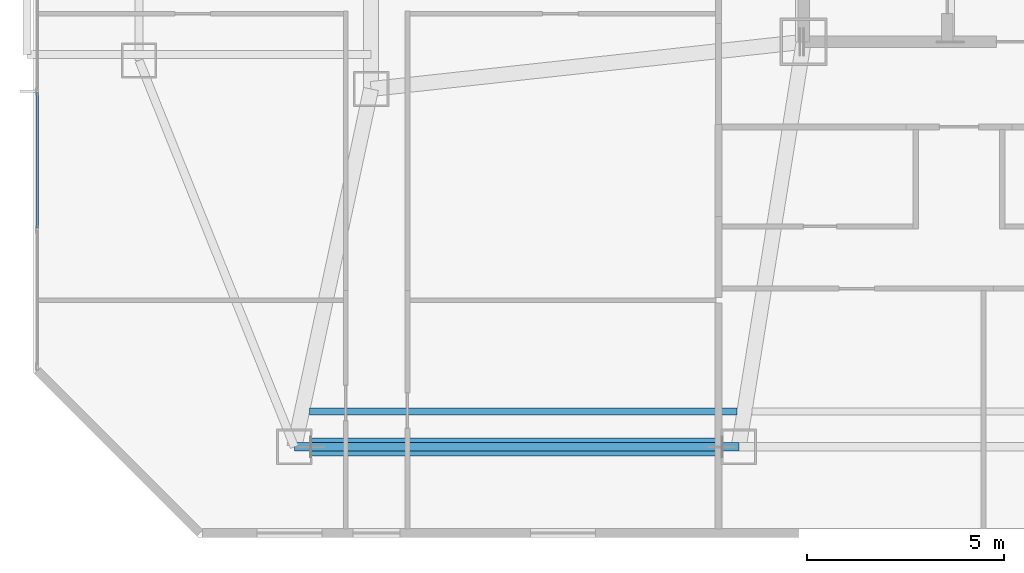
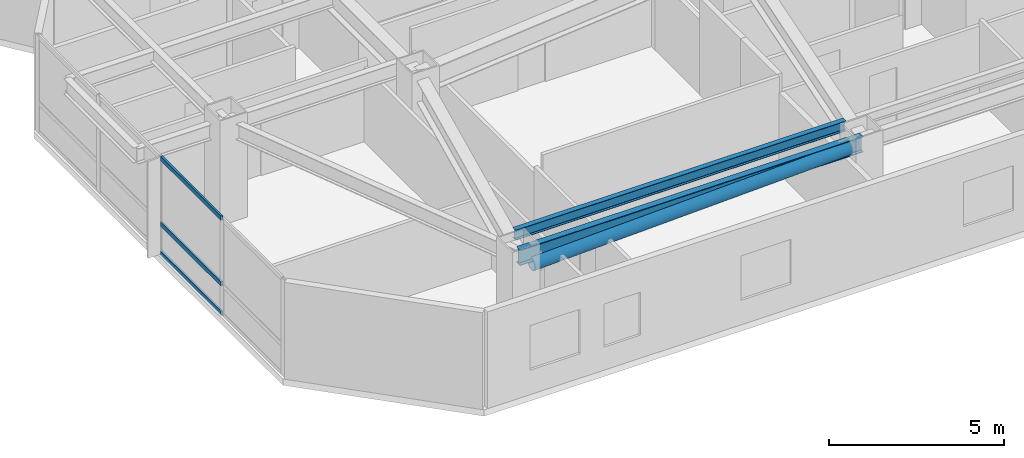
# One storey, part 3 of 17: 4 members, 2 beams, 1 element without a shape of its own.
"""IFC4 building model written with IfcOpenShell, lengths in metres."""

from ifc_helpers import new_model, si_unit, direction, frame, origin, origin_2d, place, context, subcontext, project, spatial, hollow_rectangle, hollow_circle, i_section, extrude, material, material_profile, profile_set, type_object, element, aggregate, save


model = new_model("IFC4")

# Units and contexts
model_context = context("Model", 3, precision=1e-05, world=origin(), true_north=direction((0.0, 1.0)))
body_context = subcontext(model_context, "Body", "Model", "MODEL_VIEW")
ifc_project = project(units=[si_unit("LENGTHUNIT", "METRE"), si_unit("AREAUNIT", "SQUARE_METRE"), si_unit("VOLUMEUNIT", "CUBIC_METRE"), si_unit("PLANEANGLEUNIT", "RADIAN"), si_unit("MASSUNIT", "GRAM", prefix="KILO")], contexts=[model_context])

# Site, building, storey
site_placement = place(None, origin())
site = spatial("IfcSite", under=ifc_project, at=site_placement, CompositionType="ELEMENT")
building_placement = place(site_placement, origin())
building = spatial("IfcBuilding", under=site, at=building_placement, Name="Khamvora Tower", CompositionType="ELEMENT")
storey_placement = place(building_placement, frame((0.0, 0.0, 142.050048828125)))
storey = spatial("IfcBuildingStorey", under=building, at=storey_placement, Name="L36", CompositionType="ELEMENT", Elevation=142.050048828125)

# Beams
ifc_material_1 = material(Name="Steel S355", Category="steel")
ifc_material_profile_1 = material_profile(ifc_material_1, i_section(OverallWidth=0.1708984375, OverallDepth=0.35498046875, WebThickness=0.007080078125, FlangeThickness=0.011962890625, FilletRadius=0.010009765625, at=origin_2d()), Name="W360x51")
ifc_profile_set_1 = profile_set([ifc_material_profile_1], Name="Steel S355")
beam_type_1 = type_object("IfcBeamType", Name="BM-JS-W360x51", PredefinedType="JOIST", material=ifc_profile_set_1)
beam_1_placement = place(storey_placement, frame((16.43310546875, 9.60009765625, 3.19189453125), z_axis=(1.0, 0.0, 0.0), x_axis=(0.0, 1.0, 0.0)))
element("IfcBeam", 1, at=beam_1_placement, inside=storey, type_object=beam_type_1, Name="L36 secondary floor joist 01", PredefinedType="JOIST", context=body_context, shape_type="SweptSolid", body=[
    extrude(i_section(OverallWidth=0.1708984375, OverallDepth=0.35498046875, WebThickness=0.007080078125, FlangeThickness=0.011962890625, FilletRadius=0.010009765625, at=origin_2d()), origin(), (0.0, 0.0, 1.0), 10.872802734375),
])
ifc_material_profile_2 = material_profile(ifc_material_1, i_section(OverallWidth=0.2119140625, OverallDepth=0.5439453125, WebThickness=0.012939453125, FlangeThickness=0.02099609375, FilletRadius=0.013916015625, at=origin_2d()), Name="W530x123")
ifc_profile_set_2 = profile_set([ifc_material_profile_2], Name="Steel S355")
beam_type_2 = type_object("IfcBeamType", Name="BM-SP-W530x123", PredefinedType="SPANDREL", material=ifc_profile_set_2)
beam_2_placement = place(storey_placement, frame((16.050048828125, 8.699951171875, 3.097900390625), z_axis=(1.0, 0.0, 0.0), x_axis=(0.0, 1.0, 0.0)))
element("IfcBeam", 2, at=beam_2_placement, inside=storey, type_object=beam_type_2, Name="L36 perimeter spandrel beam S1-S2", PredefinedType="SPANDREL", context=body_context, shape_type="SweptSolid", body=[
    extrude(i_section(OverallWidth=0.2119140625, OverallDepth=0.5439453125, WebThickness=0.012939453125, FlangeThickness=0.02099609375, FilletRadius=0.013916015625, at=origin_2d()), origin(), (0.0, 0.0, 1.0), 11.300048828125),
])

# Curtain wall, members
ifc_material_2 = material(Name="Anodised Aluminium 6063-T6", Category="aluminium")
curtain_wall_type = type_object("IfcCurtainWallType", Name="CW-SYS-03", PredefinedType="NOTDEFINED", material=ifc_material_2)
curtain_wall_placement = place(storey_placement, origin())
curtain_wall = element("IfcCurtainWall", 3, at=curtain_wall_placement, inside=storey, type_object=curtain_wall_type, Name="L36 stick curtain wall 02.1", PredefinedType="NOTDEFINED")
ifc_material_profile_3 = material_profile(ifc_material_2, hollow_rectangle(XDim=0.06494140625, YDim=0.155029296875, WallThickness=0.0048828125, at=origin_2d()), Name="TRN65x155x5")
ifc_profile_set_3 = profile_set([ifc_material_profile_3], Name="Anodised Aluminium 6063-T6")
member_type_1 = type_object("IfcMemberType", Name="CW-SYS-03-TRN", PredefinedType="USERDEFINED", material=ifc_profile_set_3)
member_1_placement = place(storey_placement, frame((9.510009765625, 14.260986328125, 0.032470703125), z_axis=(0.0, 1.0, 0.0), x_axis=(-1.0, 0.0, 0.0)))
member_1 = element("IfcMember", 4, at=member_1_placement, type_object=member_type_1, Name="CW-03 transom 2.1", ObjectType="TRANSOM", PredefinedType="USERDEFINED", context=body_context, shape_type="SweptSolid", body=[
    extrude(hollow_rectangle(XDim=0.06494140625, YDim=0.155029296875, WallThickness=0.0048828125, at=origin_2d()), origin(), (0.0, 0.0, 1.0), 3.446533203125),
])
member_2_placement = place(storey_placement, frame((9.510009765625, 14.260986328125, 1.050048828125), z_axis=(0.0, 1.0, 0.0), x_axis=(-1.0, 0.0, 0.0)))
member_2 = element("IfcMember", 5, at=member_2_placement, type_object=member_type_1, Name="CW-03 transom 2.2", ObjectType="TRANSOM", PredefinedType="USERDEFINED", context=body_context, shape_type="SweptSolid", body=[
    extrude(hollow_rectangle(XDim=0.06494140625, YDim=0.155029296875, WallThickness=0.0048828125, at=origin_2d()), origin(), (0.0, 0.0, 1.0), 3.446533203125),
])
member_3_placement = place(storey_placement, frame((9.510009765625, 14.260986328125, 3.33740234375), z_axis=(0.0, 1.0, 0.0), x_axis=(-1.0, 0.0, 0.0)))
member_3 = element("IfcMember", 6, at=member_3_placement, type_object=member_type_1, Name="CW-03 transom 2.3", ObjectType="TRANSOM", PredefinedType="USERDEFINED", context=body_context, shape_type="SweptSolid", body=[
    extrude(hollow_rectangle(XDim=0.06494140625, YDim=0.155029296875, WallThickness=0.0048828125, at=origin_2d()), origin(), (0.0, 0.0, 1.0), 3.446533203125),
])
aggregate(curtain_wall, [member_1, member_2, member_3])

# Member
ifc_material_profile_4 = material_profile(ifc_material_1, hollow_circle(Radius=0.228515625, WallThickness=0.02001953125, at=origin_2d()), Name="CHS457x20")
ifc_profile_set_4 = profile_set([ifc_material_profile_4], Name="Steel S355")
member_type_2 = type_object("IfcMemberType", Name="MEM-BR-CHS457", PredefinedType="BRACE", material=ifc_profile_set_4)
member_4_placement = place(storey_placement, frame((16.47998046875, 8.699951171875, 2.696044921875), z_axis=(0.999306839508, 0.0, 0.037226878896), x_axis=(0.0, 1.0, 0.0)))
element("IfcMember", 7, at=member_4_placement, inside=storey, type_object=member_type_2, Name="L36 perimeter wind brace 1", PredefinedType="BRACE", context=body_context, shape_type="SweptSolid", body=[
    extrude(hollow_circle(Radius=0.228515625, WallThickness=0.02001953125, at=origin_2d()), origin(), (0.0, 0.0, 1.0), 10.447265625),
])

save(model, "model.ifc")
